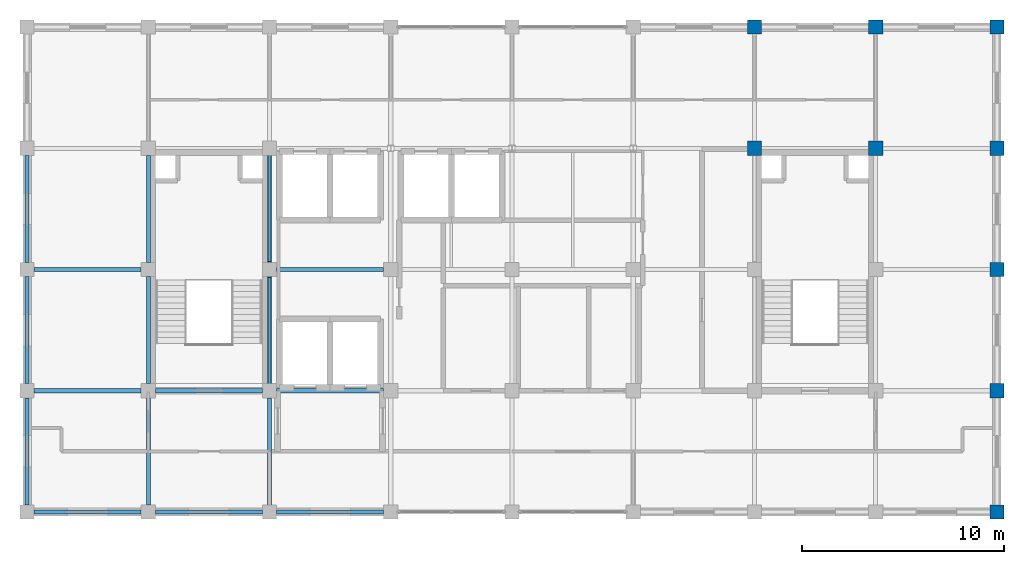
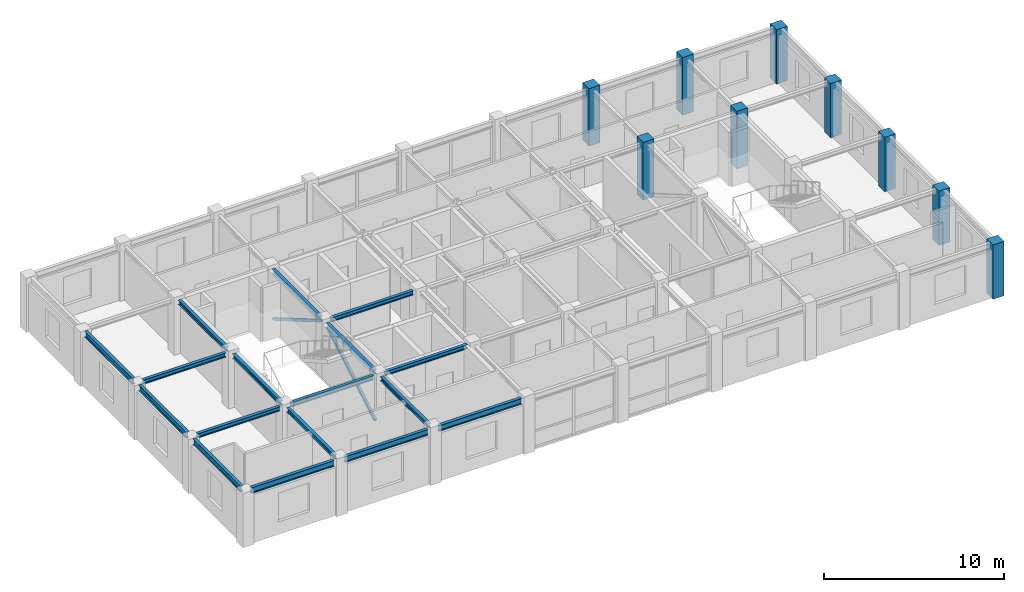
# One storey, part 3 of 11: 17 beams, 9 columns, 2 members.
"""IFC4 building model written with IfcOpenShell, lengths in metres."""

from ifc_helpers import new_model, si_unit, direction, frame, origin, origin_2d, place, context, subcontext, project, spatial, rectangle, hollow_rectangle, i_section, extrude, material, material_profile, profile_set, type_object, element, save


model = new_model("IFC4")

# Units and contexts
model_context = context("Model", 3, precision=1e-05, world=origin(), true_north=direction((0.0, 1.0)))
body_context = subcontext(model_context, "Body", "Model", "MODEL_VIEW")
ifc_project = project(units=[si_unit("LENGTHUNIT", "METRE"), si_unit("AREAUNIT", "SQUARE_METRE"), si_unit("VOLUMEUNIT", "CUBIC_METRE"), si_unit("PLANEANGLEUNIT", "RADIAN"), si_unit("MASSUNIT", "GRAM", prefix="KILO")], contexts=[model_context])

# Site, building, storey
site_placement = place(None, origin())
site = spatial("IfcSite", under=ifc_project, at=site_placement, CompositionType="ELEMENT")
building_placement = place(site_placement, origin())
building = spatial("IfcBuilding", under=site, at=building_placement, Name="Zlatovratsky Civic Hall", CompositionType="ELEMENT")
storey_placement = place(building_placement, frame((0.0, 0.0, 63.89990234375)))
storey = spatial("IfcBuildingStorey", under=building, at=storey_placement, Name="L16", CompositionType="ELEMENT", Elevation=63.89990234375)

# Columns
ifc_material_1 = material(Name="Concrete C35/45 (B40)", Category="concrete")
ifc_material_profile_1 = material_profile(ifc_material_1, rectangle(XDim=0.699951171875, YDim=0.699951171875, at=origin_2d()), Name="RC 700x700")
ifc_profile_set_1 = profile_set([ifc_material_profile_1], Name="Concrete C35/45 (B40)")
column_type = type_object("IfcColumnType", Name="Col_CorePier_RC700", PredefinedType="COLUMN", material=ifc_profile_set_1)
for number, where, z_axis, x_axis, name in (
    (1, (108.0, 78.0, 0.0), (0.0, 0.0, 1.0), (1.0, 0.0, 0.0), "CL-2608"),
    (2, (108.0, 84.0, 0.0), (0.0, 0.0, 1.0), (1.0, 0.0, 0.0), "CL-2617"),
    (3, (108.0, 90.0, 0.0), (0.0, 0.0, 1.0), (1.0, 0.0, 0.0), "CL-2626"),
):
    element("IfcColumn", number, at=place(storey_placement, frame(where, z_axis=z_axis, x_axis=x_axis)), inside=storey, type_object=column_type, Name=name, PredefinedType="COLUMN", context=body_context, shape_type="SweptSolid", body=[
        extrude(rectangle(XDim=0.699951171875, YDim=0.699951171875, at=origin_2d()), origin(), (0.0, 0.0, 1.0), 3.68017578125),
    ])
for number, where, z_axis, x_axis, name in (
    (4, (96.0, 96.0, 0.0), (0.0, 0.0, 1.0), (1.0, 0.0, 0.0), "CL-2633"),
    (5, (102.0, 96.0, 0.0), (0.0, 0.0, 1.0), (1.0, 0.0, 0.0), "CL-2634"),
):
    element("IfcColumn", number, at=place(storey_placement, frame(where, z_axis=z_axis, x_axis=x_axis)), inside=storey, type_object=column_type, Name=name, PredefinedType="COLUMN", context=body_context, shape_type="SweptSolid", body=[
        extrude(rectangle(XDim=0.699951171875, YDim=0.699951171875, at=origin_2d()), origin(), (0.0, 0.0, 1.0), 3.900146484375),
    ])
column_1_placement = place(storey_placement, frame((108.0, 96.0, 0.0), z_axis=(0.0, 0.0, 1.0), x_axis=(1.0, 0.0, 0.0)))
element("IfcColumn", 6, at=column_1_placement, inside=storey, type_object=column_type, Name="CL-2635", PredefinedType="COLUMN", context=body_context, shape_type="SweptSolid", body=[
    extrude(rectangle(XDim=0.699951171875, YDim=0.699951171875, at=origin_2d()), origin(), (0.0, 0.0, 1.0), 3.68017578125),
])
for number, where, z_axis, x_axis, name in (
    (7, (96.0, 102.0, 0.0), (0.0, 0.0, 1.0), (1.0, 0.0, 0.0), "CL-2642"),
    (8, (102.0, 102.0, 0.0), (0.0, 0.0, 1.0), (1.0, 0.0, 0.0), "CL-2643"),
):
    element("IfcColumn", number, at=place(storey_placement, frame(where, z_axis=z_axis, x_axis=x_axis)), inside=storey, type_object=column_type, Name=name, PredefinedType="COLUMN", context=body_context, shape_type="SweptSolid", body=[
        extrude(rectangle(XDim=0.699951171875, YDim=0.699951171875, at=origin_2d()), origin(), (0.0, 0.0, 1.0), 3.900146484375),
    ])
column_2_placement = place(storey_placement, frame((108.0, 102.0, 0.0), z_axis=(0.0, 0.0, 1.0), x_axis=(1.0, 0.0, 0.0)))
element("IfcColumn", 9, at=column_2_placement, inside=storey, type_object=column_type, Name="CL-2644", PredefinedType="COLUMN", context=body_context, shape_type="SweptSolid", body=[
    extrude(rectangle(XDim=0.699951171875, YDim=0.699951171875, at=origin_2d()), origin(), (0.0, 0.0, 1.0), 3.68017578125),
])

# Beams
ifc_material_2 = material(Name="Steel S355", Category="steel")
ifc_material_profile_2 = material_profile(ifc_material_2, i_section(OverallWidth=0.199951171875, OverallDepth=0.39990234375, WebThickness=0.008056640625, FlangeThickness=0.012939453125, FilletRadius=0.014892578125, at=origin_2d()), Name="40B2")
ifc_profile_set_2 = profile_set([ifc_material_profile_2], Name="Steel S355")
beam_type_1 = type_object("IfcBeamType", Name="Beam_Spandrel_40B2", PredefinedType="SPANDREL", material=ifc_profile_set_2)
for number, where, z_axis, x_axis, name in (
    (10, (60.35009765625, 78.0, 3.460205078125), (1.0, 0.0, 0.0), (0.0, 1.0, 0.0), "BM-5117"),
    (11, (66.35009765625, 78.0, 3.460205078125), (1.0, 0.0, 0.0), (0.0, 1.0, 0.0), "BM-5118"),
    (12, (72.35009765625, 78.0, 3.460205078125), (1.0, 0.0, 0.0), (0.0, 1.0, 0.0), "BM-5119"),
    (13, (60.0, 78.35009765625, 3.460205078125), (0.0, 1.0, 0.0), (-1.0, 0.0, 0.0), "BM-5155"),
    (14, (60.0, 84.35009765625, 3.460205078125), (0.0, 1.0, 0.0), (-1.0, 0.0, 0.0), "BM-5156"),
    (15, (60.0, 90.35009765625, 3.460205078125), (0.0, 1.0, 0.0), (-1.0, 0.0, 0.0), "BM-5157"),
):
    element("IfcBeam", number, at=place(storey_placement, frame(where, z_axis=z_axis, x_axis=x_axis)), inside=storey, type_object=beam_type_1, Name=name, PredefinedType="SPANDREL", context=body_context, shape_type="SweptSolid", body=[
        extrude(i_section(OverallWidth=0.199951171875, OverallDepth=0.39990234375, WebThickness=0.008056640625, FlangeThickness=0.012939453125, FilletRadius=0.014892578125, at=origin_2d()), origin(), (0.0, 0.0, 1.0), 5.2998046875),
    ])
ifc_material_profile_3 = material_profile(ifc_material_2, i_section(OverallWidth=0.199951171875, OverallDepth=0.291015625, WebThickness=0.008056640625, FlangeThickness=0.010986328125, FilletRadius=0.01806640625, at=origin_2d()), Name="30Sh1")
ifc_profile_set_3 = profile_set([ifc_material_profile_3], Name="Steel S355")
beam_type_2 = type_object("IfcBeamType", Name="Beam_TowerHigh_30Sh1", PredefinedType="BEAM", material=ifc_profile_set_3)
for number, where, z_axis, x_axis, name in (
    (16, (60.35009765625, 84.0, 3.5146484375), (1.0, 0.0, 0.0), (0.0, 1.0, 0.0), "BM-5125"),
    (17, (66.35009765625, 84.0, 3.5146484375), (1.0, 0.0, 0.0), (0.0, 1.0, 0.0), "BM-5126"),
    (18, (72.35009765625, 84.0, 3.5146484375), (1.0, 0.0, 0.0), (0.0, 1.0, 0.0), "BM-5127"),
    (19, (60.35009765625, 90.0, 3.5146484375), (1.0, 0.0, 0.0), (0.0, 1.0, 0.0), "BM-5133"),
    (20, (72.35009765625, 90.0, 3.5146484375), (1.0, 0.0, 0.0), (0.0, 1.0, 0.0), "BM-5134"),
    (21, (66.0, 78.35009765625, 3.5146484375), (0.0, 1.0, 0.0), (-1.0, 0.0, 0.0), "BM-5159"),
    (22, (66.0, 84.35009765625, 3.5146484375), (0.0, 1.0, 0.0), (-1.0, 0.0, 0.0), "BM-5160"),
    (23, (66.0, 90.35009765625, 3.5146484375), (0.0, 1.0, 0.0), (-1.0, 0.0, 0.0), "BM-5161"),
    (24, (72.0, 78.35009765625, 3.5146484375), (0.0, 1.0, 0.0), (-1.0, 0.0, 0.0), "BM-5163"),
    (25, (72.0, 84.35009765625, 3.5146484375), (0.0, 1.0, 0.0), (-1.0, 0.0, 0.0), "BM-5164"),
    (26, (72.0, 90.35009765625, 3.5146484375), (0.0, 1.0, 0.0), (-1.0, 0.0, 0.0), "BM-5165"),
):
    element("IfcBeam", number, at=place(storey_placement, frame(where, z_axis=z_axis, x_axis=x_axis)), inside=storey, type_object=beam_type_2, Name=name, PredefinedType="BEAM", context=body_context, shape_type="SweptSolid", body=[
        extrude(i_section(OverallWidth=0.199951171875, OverallDepth=0.291015625, WebThickness=0.008056640625, FlangeThickness=0.010986328125, FilletRadius=0.01806640625, at=origin_2d()), origin(), (0.0, 0.0, 1.0), 5.2998046875),
    ])

# Members
ifc_material_profile_4 = material_profile(ifc_material_2, hollow_rectangle(XDim=0.159912109375, YDim=0.159912109375, WallThickness=0.008056640625, at=origin_2d()), Name="SHS 160x160x8")
ifc_profile_set_4 = profile_set([ifc_material_profile_4], Name="Steel S355")
member_type = type_object("IfcMemberType", Name="Brace_TowerHigh_SHS160", PredefinedType="BRACE", material=ifc_profile_set_4)
for number, where, z_axis, x_axis, name in (
    (27, (72.0, 84.35009765625, 0.25), (0.0, 0.863172562464, 0.504909028845), (-1.0, 0.0, 0.0), "MB-0168"),
    (28, (72.0, 90.35009765625, 3.35009765625), (0.0, 0.863172562464, -0.504909028845), (-1.0, 0.0, 0.0), "MB-0169"),
):
    element("IfcMember", number, at=place(storey_placement, frame(where, z_axis=z_axis, x_axis=x_axis)), inside=storey, type_object=member_type, Name=name, PredefinedType="BRACE", context=body_context, shape_type="SweptSolid", body=[
        extrude(hollow_rectangle(XDim=0.159912109375, YDim=0.159912109375, WallThickness=0.008056640625, at=origin_2d()), origin(), (0.0, 0.0, 1.0), 6.139892578125),
    ])

save(model, "model.ifc")
